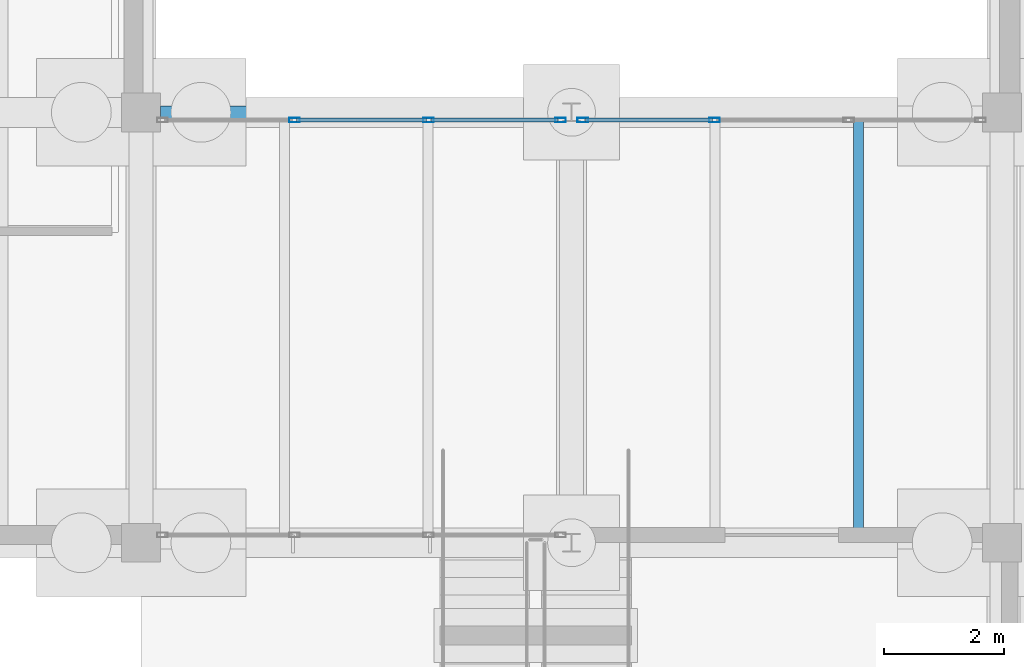
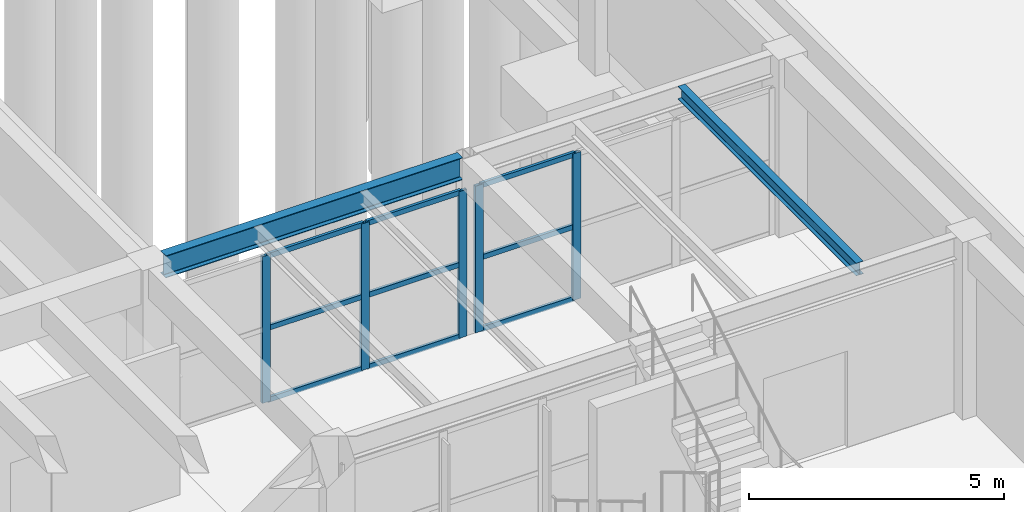
# One storey, part 13 of 28: 14 members, 2 beams, 2 elements without a shape of their own.
"""IFC4 building model written with IfcOpenShell, lengths in metres."""

from ifc_helpers import new_model, si_unit, direction, frame, origin, origin_2d, place, context, subcontext, project, spatial, hollow_rectangle, i_section, extrude, material, material_profile, profile_set, type_object, element, aggregate, save


model = new_model("IFC4")

# Units and contexts
model_context = context("Model", 3, precision=1e-05, world=origin(), true_north=direction((0.0, 1.0)))
body_context = subcontext(model_context, "Body", "Model", "MODEL_VIEW")
ifc_project = project(units=[si_unit("LENGTHUNIT", "METRE"), si_unit("AREAUNIT", "SQUARE_METRE"), si_unit("VOLUMEUNIT", "CUBIC_METRE"), si_unit("PLANEANGLEUNIT", "RADIAN"), si_unit("MASSUNIT", "GRAM", prefix="KILO")], contexts=[model_context])

# Site, building, storey
site_placement = place(None, origin())
site = spatial("IfcSite", under=ifc_project, at=site_placement, CompositionType="ELEMENT")
building_placement = place(site_placement, origin())
building = spatial("IfcBuilding", under=site, at=building_placement, Name="Bramvelor Terrace Health Centre", CompositionType="ELEMENT")
storey_placement = place(building_placement, frame((0.0, 0.0, -4.5)))
storey = spatial("IfcBuildingStorey", under=building, at=storey_placement, Name="B1", CompositionType="ELEMENT", Elevation=-4.5)

# Beams
ifc_material_1 = material(Name="Steel S355J2", Category="steel")
ifc_material_profile_1 = material_profile(ifc_material_1, i_section(OverallWidth=0.1650390625, OverallDepth=0.303466796875, WebThickness=0.006103515625, FlangeThickness=0.01025390625, FilletRadius=0.0087890625, at=origin_2d()), Name="UB 305x165x40")
ifc_profile_set_1 = profile_set([ifc_material_profile_1], Name="Steel S355J2")
beam_type_1 = type_object("IfcBeamType", Name="BM-STL-UB305", PredefinedType="JOIST", material=ifc_profile_set_1)
beam_1_placement = place(storey_placement, frame((40.800048828125, 50.504638671875, 4.098388671875), z_axis=(0.0, 1.0, 0.0), x_axis=(-1.0, 0.0, 0.0)))
element("IfcBeam", 1, at=beam_1_placement, inside=storey, type_object=beam_type_1, Name="B1 Secondary Floor Joist", PredefinedType="JOIST", context=body_context, shape_type="SweptSolid", body=[
    extrude(i_section(OverallWidth=0.1650390625, OverallDepth=0.303466796875, WebThickness=0.006103515625, FlangeThickness=0.01025390625, FilletRadius=0.0087890625, at=origin_2d()), origin(), (0.0, 0.0, 1.0), 6.99072265625),
])
ifc_material_2 = material(Name="Steel S355J2", Category="steel")
ifc_material_profile_2 = material_profile(ifc_material_2, i_section(OverallWidth=0.209228515625, OverallDepth=0.533203125, WebThickness=0.010009765625, FlangeThickness=0.015625, FilletRadius=0.0126953125, at=origin_2d()), Name="UB 533x210x92")
ifc_profile_set_2 = profile_set([ifc_material_profile_2], Name="Steel S355J2")
beam_type_2 = type_object("IfcBeamType", Name="BM-STL-UB533", PredefinedType="BEAM", material=ifc_profile_set_2)
beam_2_placement = place(storey_placement, frame((29.125, 57.60009765625, 3.9833984375), z_axis=(1.0, 0.0, 0.0), x_axis=(0.0, 1.0, 0.0)))
element("IfcBeam", 2, at=beam_2_placement, inside=storey, type_object=beam_type_2, Name="B1 Floor Girder", PredefinedType="BEAM", context=body_context, shape_type="SweptSolid", body=[
    extrude(i_section(OverallWidth=0.209228515625, OverallDepth=0.533203125, WebThickness=0.010009765625, FlangeThickness=0.015625, FilletRadius=0.0126953125, at=origin_2d()), origin(), (0.0, 0.0, 1.0), 6.72119140625),
])

# Curtain wall, members
ifc_material_3 = material(Name="Anodized aluminium and double low-E glass", Category="aluminium")
curtain_wall_type = type_object("IfcCurtainWallType", Name="CW-SYS-01", PredefinedType="NOTDEFINED", material=ifc_material_3)
curtain_wall_1_placement = place(storey_placement, origin())
curtain_wall_1 = element("IfcCurtainWall", 3, at=curtain_wall_1_placement, inside=storey, type_object=curtain_wall_type, Name="B1 Unitized Curtain Wall 1", PredefinedType="NOTDEFINED")
ifc_material_4 = material(Name="Anodized aluminium 6063-T6", Category="aluminium")
ifc_material_profile_3 = material_profile(ifc_material_4, hollow_rectangle(XDim=0.074951171875, YDim=0.179931640625, WallThickness=0.00341796875, at=origin_2d()), Name="ALU-MUL 75x180x3.5")
ifc_profile_set_3 = profile_set([ifc_material_profile_3], Name="Anodized aluminium 6063-T6")
member_type_1 = type_object("IfcMemberType", Name="CW-MUL-65x180", PredefinedType="MULLION", material=ifc_profile_set_3)
member_1_placement = place(storey_placement, frame((31.36376953125, 57.469970703125, 0.0), z_axis=(0.0, 0.0, 1.0), x_axis=(0.0, 1.0, 0.0)))
member_1 = element("IfcMember", 4, at=member_1_placement, type_object=member_type_1, Name="CW-01 mullion 2", PredefinedType="MULLION", context=body_context, shape_type="SweptSolid", body=[
    extrude(hollow_rectangle(XDim=0.074951171875, YDim=0.179931640625, WallThickness=0.00341796875, at=origin_2d()), origin(), (0.0, 0.0, 1.0), 3.510009765625),
])
member_2_placement = place(storey_placement, frame((33.607421875, 57.469970703125, 0.0), z_axis=(0.0, 0.0, 1.0), x_axis=(0.0, 1.0, 0.0)))
member_2 = element("IfcMember", 5, at=member_2_placement, type_object=member_type_1, Name="CW-01 mullion 3", PredefinedType="MULLION", context=body_context, shape_type="SweptSolid", body=[
    extrude(hollow_rectangle(XDim=0.074951171875, YDim=0.179931640625, WallThickness=0.00341796875, at=origin_2d()), origin(), (0.0, 0.0, 1.0), 3.510009765625),
])
member_3_placement = place(storey_placement, frame((35.813720703125, 57.469970703125, 0.0), z_axis=(0.0, 0.0, 1.0), x_axis=(0.0, 1.0, 0.0)))
member_3 = element("IfcMember", 6, at=member_3_placement, type_object=member_type_1, Name="CW-01 mullion 4", PredefinedType="MULLION", context=body_context, shape_type="SweptSolid", body=[
    extrude(hollow_rectangle(XDim=0.074951171875, YDim=0.179931640625, WallThickness=0.00341796875, at=origin_2d()), origin(), (0.0, 0.0, 1.0), 3.510009765625),
])

curtain_wall_2_placement = place(storey_placement, origin())
curtain_wall_2 = element("IfcCurtainWall", 7, at=curtain_wall_2_placement, inside=storey, type_object=curtain_wall_type, Name="B1 Unitized Curtain Wall 2", PredefinedType="NOTDEFINED")
member_4_placement = place(storey_placement, frame((36.186279296875, 57.469970703125, 0.0), z_axis=(0.0, 0.0, 1.0), x_axis=(0.0, 1.0, 0.0)))
member_4 = element("IfcMember", 8, at=member_4_placement, type_object=member_type_1, Name="CW-01 mullion 1", PredefinedType="MULLION", context=body_context, shape_type="SweptSolid", body=[
    extrude(hollow_rectangle(XDim=0.074951171875, YDim=0.179931640625, WallThickness=0.00341796875, at=origin_2d()), origin(), (0.0, 0.0, 1.0), 3.510009765625),
])
member_5_placement = place(storey_placement, frame((38.392578125, 57.469970703125, 0.0), z_axis=(0.0, 0.0, 1.0), x_axis=(0.0, 1.0, 0.0)))
member_5 = element("IfcMember", 9, at=member_5_placement, type_object=member_type_1, Name="CW-01 mullion 2", PredefinedType="MULLION", context=body_context, shape_type="SweptSolid", body=[
    extrude(hollow_rectangle(XDim=0.074951171875, YDim=0.179931640625, WallThickness=0.00341796875, at=origin_2d()), origin(), (0.0, 0.0, 1.0), 3.510009765625),
])

# Member
ifc_material_5 = material(Name="Anodized aluminium 6063-T6", Category="aluminium")
ifc_material_profile_4 = material_profile(ifc_material_5, hollow_rectangle(XDim=0.06494140625, YDim=0.1201171875, WallThickness=0.0029296875, at=origin_2d()), Name="ALU-TRN 65x120x3.0")
ifc_profile_set_4 = profile_set([ifc_material_profile_4], Name="Anodized aluminium 6063-T6")
member_type_2 = type_object("IfcMemberType", Name="CW-TRN-65x150", PredefinedType="USERDEFINED", material=ifc_profile_set_4)
member_6_placement = place(storey_placement, frame((31.4013671875, 57.469970703125, 0.032470703125), z_axis=(1.0, 0.0, 0.0), x_axis=(0.0, 1.0, 0.0)))
member_6 = element("IfcMember", 10, at=member_6_placement, type_object=member_type_2, Name="CW-01 transom 2.1", ObjectType="TRANSOM", PredefinedType="USERDEFINED", context=body_context, shape_type="SweptSolid", body=[
    extrude(hollow_rectangle(XDim=0.06494140625, YDim=0.1201171875, WallThickness=0.0029296875, at=origin_2d()), origin(), (0.0, 0.0, 1.0), 2.168701171875),
])

member_7_placement = place(storey_placement, frame((31.4013671875, 57.469970703125, 1.7548828125), z_axis=(1.0, 0.0, 0.0), x_axis=(0.0, 1.0, 0.0)))
member_7 = element("IfcMember", 11, at=member_7_placement, type_object=member_type_2, Name="CW-01 transom 2.2", ObjectType="TRANSOM", PredefinedType="USERDEFINED", context=body_context, shape_type="SweptSolid", body=[
    extrude(hollow_rectangle(XDim=0.06494140625, YDim=0.1201171875, WallThickness=0.0029296875, at=origin_2d()), origin(), (0.0, 0.0, 1.0), 2.168701171875),
])

member_8_placement = place(storey_placement, frame((31.4013671875, 57.469970703125, 3.4775390625), z_axis=(1.0, 0.0, 0.0), x_axis=(0.0, 1.0, 0.0)))
member_8 = element("IfcMember", 12, at=member_8_placement, type_object=member_type_2, Name="CW-01 transom 2.3", ObjectType="TRANSOM", PredefinedType="USERDEFINED", context=body_context, shape_type="SweptSolid", body=[
    extrude(hollow_rectangle(XDim=0.06494140625, YDim=0.1201171875, WallThickness=0.0029296875, at=origin_2d()), origin(), (0.0, 0.0, 1.0), 2.168701171875),
])

member_9_placement = place(storey_placement, frame((33.64501953125, 57.469970703125, 0.032470703125), z_axis=(1.0, 0.0, 0.0), x_axis=(0.0, 1.0, 0.0)))
member_9 = element("IfcMember", 13, at=member_9_placement, type_object=member_type_2, Name="CW-01 transom 3.1", ObjectType="TRANSOM", PredefinedType="USERDEFINED", context=body_context, shape_type="SweptSolid", body=[
    extrude(hollow_rectangle(XDim=0.06494140625, YDim=0.1201171875, WallThickness=0.0029296875, at=origin_2d()), origin(), (0.0, 0.0, 1.0), 2.13134765625),
])

member_10_placement = place(storey_placement, frame((33.64501953125, 57.469970703125, 1.7548828125), z_axis=(1.0, 0.0, 0.0), x_axis=(0.0, 1.0, 0.0)))
member_10 = element("IfcMember", 14, at=member_10_placement, type_object=member_type_2, Name="CW-01 transom 3.2", ObjectType="TRANSOM", PredefinedType="USERDEFINED", context=body_context, shape_type="SweptSolid", body=[
    extrude(hollow_rectangle(XDim=0.06494140625, YDim=0.1201171875, WallThickness=0.0029296875, at=origin_2d()), origin(), (0.0, 0.0, 1.0), 2.13134765625),
])

member_11_placement = place(storey_placement, frame((33.64501953125, 57.469970703125, 3.4775390625), z_axis=(1.0, 0.0, 0.0), x_axis=(0.0, 1.0, 0.0)))
member_11 = element("IfcMember", 15, at=member_11_placement, type_object=member_type_2, Name="CW-01 transom 3.3", ObjectType="TRANSOM", PredefinedType="USERDEFINED", context=body_context, shape_type="SweptSolid", body=[
    extrude(hollow_rectangle(XDim=0.06494140625, YDim=0.1201171875, WallThickness=0.0029296875, at=origin_2d()), origin(), (0.0, 0.0, 1.0), 2.13134765625),
])

aggregate(curtain_wall_1, [member_1, member_2, member_3, member_6, member_7, member_8, member_9, member_10, member_11])

member_12_placement = place(storey_placement, frame((36.2236328125, 57.469970703125, 0.032470703125), z_axis=(1.0, 0.0, 0.0), x_axis=(0.0, 1.0, 0.0)))
member_12 = element("IfcMember", 16, at=member_12_placement, type_object=member_type_2, Name="CW-01 transom 1.1", ObjectType="TRANSOM", PredefinedType="USERDEFINED", context=body_context, shape_type="SweptSolid", body=[
    extrude(hollow_rectangle(XDim=0.06494140625, YDim=0.1201171875, WallThickness=0.0029296875, at=origin_2d()), origin(), (0.0, 0.0, 1.0), 2.13134765625),
])

member_13_placement = place(storey_placement, frame((36.2236328125, 57.469970703125, 1.7548828125), z_axis=(1.0, 0.0, 0.0), x_axis=(0.0, 1.0, 0.0)))
member_13 = element("IfcMember", 17, at=member_13_placement, type_object=member_type_2, Name="CW-01 transom 1.2", ObjectType="TRANSOM", PredefinedType="USERDEFINED", context=body_context, shape_type="SweptSolid", body=[
    extrude(hollow_rectangle(XDim=0.06494140625, YDim=0.1201171875, WallThickness=0.0029296875, at=origin_2d()), origin(), (0.0, 0.0, 1.0), 2.13134765625),
])

member_14_placement = place(storey_placement, frame((36.2236328125, 57.469970703125, 3.4775390625), z_axis=(1.0, 0.0, 0.0), x_axis=(0.0, 1.0, 0.0)))
member_14 = element("IfcMember", 18, at=member_14_placement, type_object=member_type_2, Name="CW-01 transom 1.3", ObjectType="TRANSOM", PredefinedType="USERDEFINED", context=body_context, shape_type="SweptSolid", body=[
    extrude(hollow_rectangle(XDim=0.06494140625, YDim=0.1201171875, WallThickness=0.0029296875, at=origin_2d()), origin(), (0.0, 0.0, 1.0), 2.13134765625),
])

aggregate(curtain_wall_2, [member_4, member_5, member_12, member_13, member_14])

save(model, "model.ifc")
